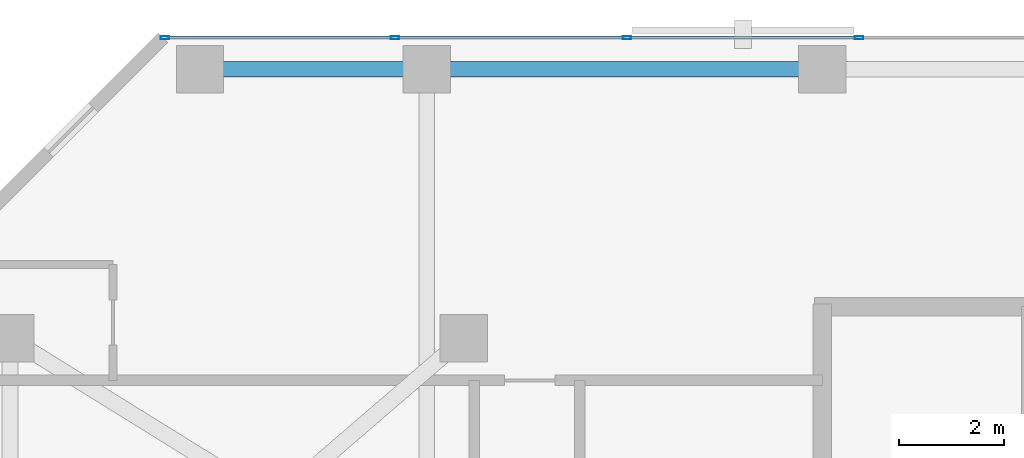
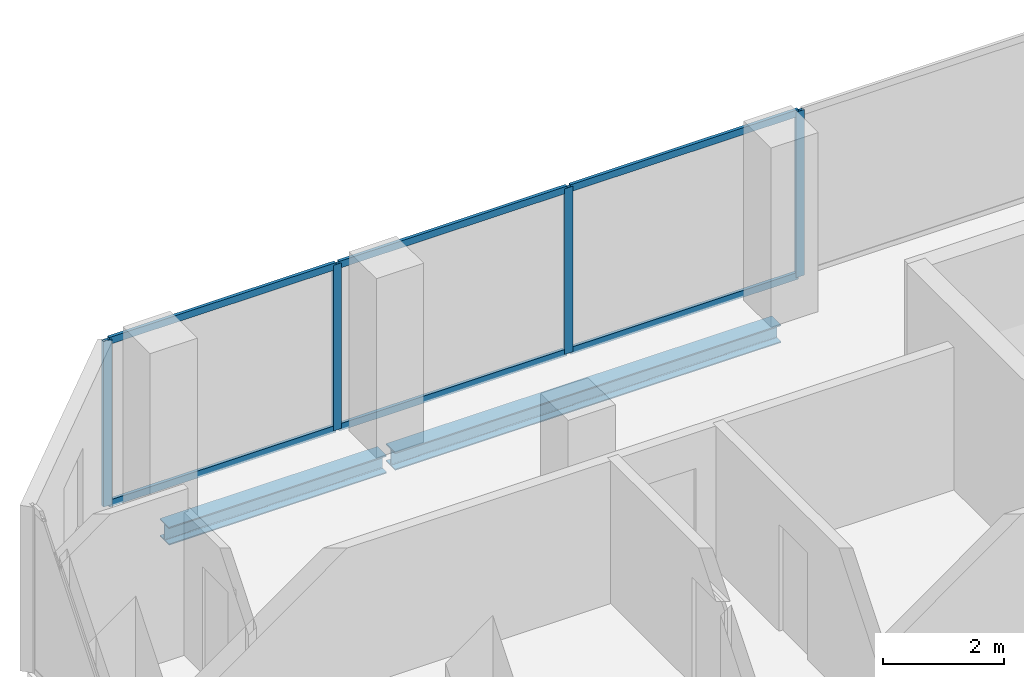
# One storey, part 19 of 33: 10 members, 2 beams, 1 element without a shape of its own.
"""IFC4 building model written with IfcOpenShell, lengths in metres."""

import ifcopenshell
import ifcopenshell.guid

model = None  # the IFC model being written
_history = None  # IfcOwnerHistory: only IFC2X3 demands one
_inside = {}  # id of a spatial element -> (the spatial element, [elements in it])
_under = {}  # id of a project, library or spatial element -> (it, [spatial elements below it])
_declared = {}  # id of a project -> (the project, [libraries it declares])
_typed = {}  # id of a type object -> (the type object, [elements of that type])
_made_of = {}  # id of a material, layer set ... -> (it, [elements and type objects made of it])


def new_model(schema):
    """Start an empty IFC model of exactly this schema.

    Asked for "IFC4X3", IfcOpenShell would pick the latest addendum, in which some entities
    have other attributes; the version numbers below select the first issue.
    IFC2X3 requires an IfcOwnerHistory on every rooted entity: one is made here for all.
    """
    global model, _history
    if schema == "IFC4X3":
        model = ifcopenshell.file(schema_version=(4, 3, 0, 0))
    else:
        model = ifcopenshell.file(schema=schema)
    _inside.clear()
    _under.clear()
    _declared.clear()
    _typed.clear()
    _made_of.clear()
    _history = None
    if model.schema == "IFC2X3":
        org = make("IfcOrganization", Name="unknown")
        user = make(
            "IfcPersonAndOrganization",
            ThePerson=make("IfcPerson", FamilyName="unknown"),
            TheOrganization=org,
        )
        app = make(
            "IfcApplication",
            ApplicationDeveloper=org,
            Version="unknown",
            ApplicationFullName="unknown",
            ApplicationIdentifier="unknown",
        )
        _history = make(
            "IfcOwnerHistory",
            OwningUser=user,
            OwningApplication=app,
            ChangeAction="ADDED",
            CreationDate=0,
        )
    return model


def make(cls, **values):
    """One entity of the class cls with the attributes given. An attribute that is None is left unset."""
    return model.create_entity(
        cls, **{name: value for name, value in values.items() if value is not None}
    )


def rooted(cls, **values):
    """An entity with a GlobalId (a new one), such as an element, a storey or a relation."""
    return make(cls, GlobalId=ifcopenshell.guid.new(), OwnerHistory=_history, **values)


def si_unit(unit_type, name, prefix=None):
    """IfcSIUnit, for example si_unit("LENGTHUNIT", "METRE", prefix="MILLI")."""
    return make("IfcSIUnit", UnitType=unit_type, Prefix=prefix, Name=name)


def assignment(units):
    """IfcUnitAssignment: the units of a project."""
    return None if units is None else make("IfcUnitAssignment", Units=units)


def point(xyz):
    """IfcCartesianPoint."""
    return None if xyz is None else make("IfcCartesianPoint", Coordinates=xyz)


def direction(xyz):
    """IfcDirection."""
    return None if xyz is None else make("IfcDirection", DirectionRatios=xyz)


def frame(location, z_axis=None, x_axis=None):
    """IfcAxis2Placement3D, a coordinate frame: its origin and axes. An axis left out is left unset."""
    return make(
        "IfcAxis2Placement3D",
        Location=point(location),
        Axis=direction(z_axis),
        RefDirection=direction(x_axis),
    )


def frame_2d(location, x_axis=None):
    """IfcAxis2Placement2D, a coordinate frame in the plane: its origin and x axis."""
    return make(
        "IfcAxis2Placement2D", Location=point(location), RefDirection=direction(x_axis)
    )


def origin():
    """The frame at (0, 0, 0) with its axes left unset."""
    return frame((0.0, 0.0, 0.0))


def origin_2d():
    """The frame at (0, 0) in the plane with its x axis left unset."""
    return frame_2d((0.0, 0.0))


def place(relative_to, where):
    """IfcLocalPlacement: puts the frame where relative to a parent placement (None: the world)."""
    return make(
        "IfcLocalPlacement", PlacementRelTo=relative_to, RelativePlacement=where
    )


def context(
    kind, dimensions, precision=None, world=None, true_north=None, identifier=None
):
    """IfcGeometricRepresentationContext, for example the 3D "Model" context."""
    return make(
        "IfcGeometricRepresentationContext",
        ContextIdentifier=identifier,
        ContextType=kind,
        CoordinateSpaceDimension=dimensions,
        Precision=precision,
        WorldCoordinateSystem=world,
        TrueNorth=true_north,
    )


def subcontext(parent, identifier, kind, view, scale=None):
    """IfcGeometricRepresentationSubContext, for example "Body" below "Model"."""
    return make(
        "IfcGeometricRepresentationSubContext",
        ContextIdentifier=identifier,
        ContextType=kind,
        ParentContext=parent,
        TargetScale=scale,
        TargetView=view,
    )


def project(units=None, contexts=None):
    """IfcProject with its units and contexts."""
    return rooted(
        "IfcProject",
        Name="project",
        RepresentationContexts=contexts,
        UnitsInContext=assignment(units),
    )


def spatial(cls, under=None, at=None, **own):
    """A site, building, storey or space (cls), placed at a placement, below another one or the project."""
    s = rooted(cls, ObjectPlacement=at, **own)
    if under is not None:
        _under.setdefault(under.id(), (under, []))[1].append(s)
    return s


def profile(cls, at=None, kind="AREA", **sizes):
    """A parametric profile (cls). Its sizes go by their IFC names, for example OverallWidth=200.0."""
    return make(cls, ProfileType=kind, Position=at, **sizes)


def hollow_rectangle(**sizes):
    """IfcRectangleHollowProfileDef."""
    return profile("IfcRectangleHollowProfileDef", **sizes)


def i_section(**sizes):
    """IfcIShapeProfileDef."""
    return profile("IfcIShapeProfileDef", **sizes)


def extrude(swept, where, along, depth):
    """IfcExtrudedAreaSolid: the profile swept, set in the frame where, extruded along a direction by depth."""
    return make(
        "IfcExtrudedAreaSolid",
        SweptArea=swept,
        Position=where,
        ExtrudedDirection=direction(along),
        Depth=depth,
    )


def shape(context_of_items, identifier, shape_type, items):
    """IfcShapeRepresentation: the items that make up one representation, for example the "Body"."""
    return make(
        "IfcShapeRepresentation",
        ContextOfItems=context_of_items,
        RepresentationIdentifier=identifier,
        RepresentationType=shape_type,
        Items=items,
    )


def material(Name=None, Category=None):
    """IfcMaterial."""
    return make("IfcMaterial", Name=Name, Category=Category)


def layer(
    of_material, thickness, ventilated=None, Name=None, Category=None, Priority=None
):
    """IfcMaterialLayer: one layer of a wall or slab, of a material (None: an air gap)."""
    return make(
        "IfcMaterialLayer",
        Material=of_material,
        LayerThickness=thickness,
        IsVentilated=ventilated,
        Name=Name,
        Category=Category,
        Priority=Priority,
    )


def layer_set(layers, Name=None):
    """IfcMaterialLayerSet."""
    return make("IfcMaterialLayerSet", MaterialLayers=layers, LayerSetName=Name)


def material_profile(
    of_material, cross_section, Name=None, Category=None, Priority=None
):
    """IfcMaterialProfile: a cross section and its material."""
    return make(
        "IfcMaterialProfile",
        Name=Name,
        Material=of_material,
        Profile=cross_section,
        Priority=Priority,
        Category=Category,
    )


def profile_set(profiles, Name=None, composite=None):
    """IfcMaterialProfileSet."""
    return make(
        "IfcMaterialProfileSet",
        Name=Name,
        MaterialProfiles=profiles,
        CompositeProfile=composite,
    )


def made_of(thing, what):
    """Note that an element or type object is made of a material, layer set ...; save() writes the relation."""
    if what is not None:
        _made_of.setdefault(what.id(), (what, []))[1].append(thing)
    return thing


def type_object(cls, material=None, **own):
    """A type object (cls), such as IfcWallType, which elements share."""
    return made_of(rooted(cls, **own), material)


def element(
    cls,
    number,
    at=None,
    inside=None,
    cuts=None,
    type_object=None,
    material=None,
    context=None,
    identifier="Body",
    shape_type=None,
    held_by="IfcProductDefinitionShape",
    body=None,
    shapes=None,
    **own,
):
    """One element of the class cls, such as IfcWall. Its Tag is "e" and its number.

    at: its placement. inside: the storey or other place that contains it. cuts: it is an
    opening in that element (IfcRelVoidsElement). A single representation is given by context,
    identifier, shape_type and body (its items); several are given by shapes. held_by: the class
    of the entity that holds the representations. save() writes the other relations.
    """
    e = rooted(cls, Tag="e%d" % number, ObjectPlacement=at, **own)
    if body is not None:
        shapes = [shape(context, identifier, shape_type, body)]
    if shapes is not None:
        e.Representation = make(held_by, Representations=shapes)
    if inside is not None:
        _inside.setdefault(inside.id(), (inside, []))[1].append(e)
    if cuts is not None:
        rooted(
            "IfcRelVoidsElement", RelatingBuildingElement=cuts, RelatedOpeningElement=e
        )
    if type_object is not None:
        _typed.setdefault(type_object.id(), (type_object, []))[1].append(e)
    return made_of(e, material)


def aggregate(whole, parts):
    """IfcRelAggregates: a whole, such as a stair, and the parts it consists of."""
    return rooted("IfcRelAggregates", RelatingObject=whole, RelatedObjects=parts)


def save(model, path):
    """Write the relations noted so far, then the file.

    IfcRelAggregates (storeys below a building ...), IfcRelContainedInSpatialStructure (elements
    in a storey), IfcRelDefinesByType, IfcRelAssociatesMaterial and IfcRelDeclares: one each for
    every whole, place, type object, material and project.
    """
    for whole, parts in _under.values():
        aggregate(whole, parts)
    for where, things in _inside.values():
        rooted(
            "IfcRelContainedInSpatialStructure",
            RelatedElements=things,
            RelatingStructure=where,
        )
    for kind, things in _typed.values():
        rooted("IfcRelDefinesByType", RelatedObjects=things, RelatingType=kind)
    for what, things in _made_of.values():
        rooted("IfcRelAssociatesMaterial", RelatedObjects=things, RelatingMaterial=what)
    for by, libraries in _declared.values():
        rooted("IfcRelDeclares", RelatingContext=by, RelatedDefinitions=libraries)
    model.write(path)


model = new_model("IFC4")

# Units and contexts
model_context = context("Model", 3, precision=1e-05, world=origin(), true_north=direction((0.0, 1.0)))
body_context = subcontext(model_context, "Body", "Model", "MODEL_VIEW")
ifc_project = project(units=[si_unit("LENGTHUNIT", "METRE"), si_unit("AREAUNIT", "SQUARE_METRE"), si_unit("VOLUMEUNIT", "CUBIC_METRE"), si_unit("PLANEANGLEUNIT", "RADIAN"), si_unit("MASSUNIT", "GRAM", prefix="KILO")], contexts=[model_context])

# Site, building, storey
site_placement = place(None, origin())
site = spatial("IfcSite", under=ifc_project, at=site_placement, CompositionType="ELEMENT")
building_placement = place(site_placement, origin())
building = spatial("IfcBuilding", under=site, at=building_placement, Name="Catumbela Crestline Tower", CompositionType="ELEMENT")
storey_placement = place(building_placement, frame((0.0, 0.0, 108.0)))
storey = spatial("IfcBuildingStorey", under=building, at=storey_placement, Name="L27", CompositionType="ELEMENT", Elevation=108.0)

# Curtain wall, members
ifc_material_1 = material(Name="Aluminium alloy AW-6060-T66", Category="aluminium")
ifc_layer = layer(ifc_material_1, 0.18, Name="Aluminium alloy AW-6060-T66")
ifc_layer_set = layer_set([ifc_layer], Name="Aluminium alloy AW-6060-T66")
curtain_wall_type = type_object("IfcCurtainWallType", Name="CWU-Z2", PredefinedType="USERDEFINED", material=ifc_layer_set)
curtain_wall_placement = place(storey_placement, origin())
curtain_wall = element("IfcCurtainWall", 1, at=curtain_wall_placement, inside=storey, type_object=curtain_wall_type, Name="L27 Unitised Curtain Wall CW-L27-E7S1", ObjectType="UNITISED", PredefinedType="USERDEFINED")
ifc_material_profile_1 = material_profile(ifc_material_1, hollow_rectangle(XDim=0.06, YDim=0.16, WallThickness=0.004, at=origin_2d()), Name="ALU 160x60x4")
ifc_profile_set_1 = profile_set([ifc_material_profile_1], Name="Aluminium alloy AW-6060-T66")
member_type_1 = type_object("IfcMemberType", Name="MUL-160X60", PredefinedType="MULLION", material=ifc_profile_set_1)
member_1_placement = place(storey_placement, frame((16.7, 48.0, 0.0), z_axis=(0.0, 0.0, 1.0), x_axis=(0.0, -1.0, 0.0)))
member_1 = element("IfcMember", 2, at=member_1_placement, type_object=member_type_1, Name="CWU-Z2 mullion 8", PredefinedType="MULLION", context=body_context, shape_type="SweptSolid", body=[
    extrude(hollow_rectangle(XDim=0.06, YDim=0.16, WallThickness=0.004, at=origin_2d()), origin(), (0.0, 0.0, 1.0), 3.33),
])
member_2_placement = place(storey_placement, frame((12.3, 48.0, 0.0), z_axis=(0.0, 0.0, 1.0), x_axis=(0.0, -1.0, 0.0)))
member_2 = element("IfcMember", 3, at=member_2_placement, type_object=member_type_1, Name="CWU-Z2 mullion 9", PredefinedType="MULLION", context=body_context, shape_type="SweptSolid", body=[
    extrude(hollow_rectangle(XDim=0.06, YDim=0.16, WallThickness=0.004, at=origin_2d()), origin(), (0.0, 0.0, 1.0), 3.33),
])
member_3_placement = place(storey_placement, frame((7.9, 48.0, 0.0), z_axis=(0.0, 0.0, 1.0), x_axis=(0.0, -1.0, 0.0)))
member_3 = element("IfcMember", 4, at=member_3_placement, type_object=member_type_1, Name="CWU-Z2 mullion 10", PredefinedType="MULLION", context=body_context, shape_type="SweptSolid", body=[
    extrude(hollow_rectangle(XDim=0.06, YDim=0.16, WallThickness=0.004, at=origin_2d()), origin(), (0.0, 0.0, 1.0), 3.33),
])
member_4_placement = place(storey_placement, frame((3.5325, 48.0, 0.0), z_axis=(0.0, 0.0, 1.0), x_axis=(0.0, -1.0, 0.0)))
member_4 = element("IfcMember", 5, at=member_4_placement, type_object=member_type_1, Name="CWU-Z2 mullion 11", PredefinedType="MULLION", context=body_context, shape_type="SweptSolid", body=[
    extrude(hollow_rectangle(XDim=0.06, YDim=0.16, WallThickness=0.004, at=origin_2d()), origin(), (0.0, 0.0, 1.0), 3.33),
])

# Beams
ifc_material_2 = material(Name="Structural steel S355J2", Category="steel")
ifc_material_profile_2 = material_profile(ifc_material_2, i_section(OverallWidth=0.3, OverallDepth=0.36, WebThickness=0.0125, FlangeThickness=0.0225, FilletRadius=0.027, at=origin_2d()), Name="HEB 360")
ifc_profile_set_2 = profile_set([ifc_material_profile_2], Name="Structural steel S355J2")
beam_type = type_object("IfcBeamType", Name="BS-HEB360", PredefinedType="SPANDREL", material=ifc_profile_set_2)
beam_1_placement = place(storey_placement, frame((4.28, 47.4, -0.44), z_axis=(1.0, 0.0, 0.0), x_axis=(0.0, 1.0, 0.0)))
element("IfcBeam", 6, at=beam_1_placement, inside=storey, type_object=beam_type, Name="L27 Spandrel SP-L27-NF17", PredefinedType="SPANDREL", context=body_context, shape_type="SweptSolid", body=[
    extrude(i_section(OverallWidth=0.3, OverallDepth=0.36, WebThickness=0.0125, FlangeThickness=0.0225, FilletRadius=0.027, at=origin_2d()), origin(), (0.0, 0.0, 1.0), 4.14),
])
beam_2_placement = place(storey_placement, frame((8.58, 47.4, -0.44), z_axis=(1.0, 0.0, 0.0), x_axis=(0.0, 1.0, 0.0)))
element("IfcBeam", 7, at=beam_2_placement, inside=storey, type_object=beam_type, Name="L27 Spandrel SP-L27-NF18", PredefinedType="SPANDREL", context=body_context, shape_type="SweptSolid", body=[
    extrude(i_section(OverallWidth=0.3, OverallDepth=0.36, WebThickness=0.0125, FlangeThickness=0.0225, FilletRadius=0.027, at=origin_2d()), origin(), (0.0, 0.0, 1.0), 7.34),
])

# Member
ifc_material_profile_3 = material_profile(ifc_material_1, hollow_rectangle(XDim=0.06, YDim=0.14, WallThickness=0.004, at=origin_2d()), Name="ALU 140x60x4")
ifc_profile_set_3 = profile_set([ifc_material_profile_3], Name="Aluminium alloy AW-6060-T66")
member_type_2 = type_object("IfcMemberType", Name="TRN-140X60", PredefinedType="USERDEFINED", material=ifc_profile_set_3)
member_5_placement = place(storey_placement, frame((16.6675, 48.0, 0.03), z_axis=(-1.0, 0.0, 0.0), x_axis=(0.0, -1.0, 0.0)))
member_5 = element("IfcMember", 8, at=member_5_placement, type_object=member_type_2, Name="CWU-Z2 transom 8.1", ObjectType="TRANSOM", PredefinedType="USERDEFINED", context=body_context, shape_type="SweptSolid", body=[
    extrude(hollow_rectangle(XDim=0.06, YDim=0.14, WallThickness=0.004, at=origin_2d()), origin(), (0.0, 0.0, 1.0), 4.335),
])

member_6_placement = place(storey_placement, frame((16.6675, 48.0, 3.3), z_axis=(-1.0, 0.0, 0.0), x_axis=(0.0, -1.0, 0.0)))
member_6 = element("IfcMember", 9, at=member_6_placement, type_object=member_type_2, Name="CWU-Z2 transom 8.2", ObjectType="TRANSOM", PredefinedType="USERDEFINED", context=body_context, shape_type="SweptSolid", body=[
    extrude(hollow_rectangle(XDim=0.06, YDim=0.14, WallThickness=0.004, at=origin_2d()), origin(), (0.0, 0.0, 1.0), 4.335),
])

member_7_placement = place(storey_placement, frame((12.2675, 48.0, 0.03), z_axis=(-1.0, 0.0, 0.0), x_axis=(0.0, -1.0, 0.0)))
member_7 = element("IfcMember", 10, at=member_7_placement, type_object=member_type_2, Name="CWU-Z2 transom 9.1", ObjectType="TRANSOM", PredefinedType="USERDEFINED", context=body_context, shape_type="SweptSolid", body=[
    extrude(hollow_rectangle(XDim=0.06, YDim=0.14, WallThickness=0.004, at=origin_2d()), origin(), (0.0, 0.0, 1.0), 4.335),
])

member_8_placement = place(storey_placement, frame((12.2675, 48.0, 3.3), z_axis=(-1.0, 0.0, 0.0), x_axis=(0.0, -1.0, 0.0)))
member_8 = element("IfcMember", 11, at=member_8_placement, type_object=member_type_2, Name="CWU-Z2 transom 9.2", ObjectType="TRANSOM", PredefinedType="USERDEFINED", context=body_context, shape_type="SweptSolid", body=[
    extrude(hollow_rectangle(XDim=0.06, YDim=0.14, WallThickness=0.004, at=origin_2d()), origin(), (0.0, 0.0, 1.0), 4.335),
])

member_9_placement = place(storey_placement, frame((7.8675, 48.0, 0.03), z_axis=(-1.0, 0.0, 0.0), x_axis=(0.0, -1.0, 0.0)))
member_9 = element("IfcMember", 12, at=member_9_placement, type_object=member_type_2, Name="CWU-Z2 transom 10.1", ObjectType="TRANSOM", PredefinedType="USERDEFINED", context=body_context, shape_type="SweptSolid", body=[
    extrude(hollow_rectangle(XDim=0.06, YDim=0.14, WallThickness=0.004, at=origin_2d()), origin(), (0.0, 0.0, 1.0), 4.3025),
])

member_10_placement = place(storey_placement, frame((7.8675, 48.0, 3.3), z_axis=(-1.0, 0.0, 0.0), x_axis=(0.0, -1.0, 0.0)))
member_10 = element("IfcMember", 13, at=member_10_placement, type_object=member_type_2, Name="CWU-Z2 transom 10.2", ObjectType="TRANSOM", PredefinedType="USERDEFINED", context=body_context, shape_type="SweptSolid", body=[
    extrude(hollow_rectangle(XDim=0.06, YDim=0.14, WallThickness=0.004, at=origin_2d()), origin(), (0.0, 0.0, 1.0), 4.3025),
])

aggregate(curtain_wall, [member_1, member_2, member_3, member_4, member_5, member_6, member_7, member_8, member_9, member_10])

save(model, "model.ifc")
